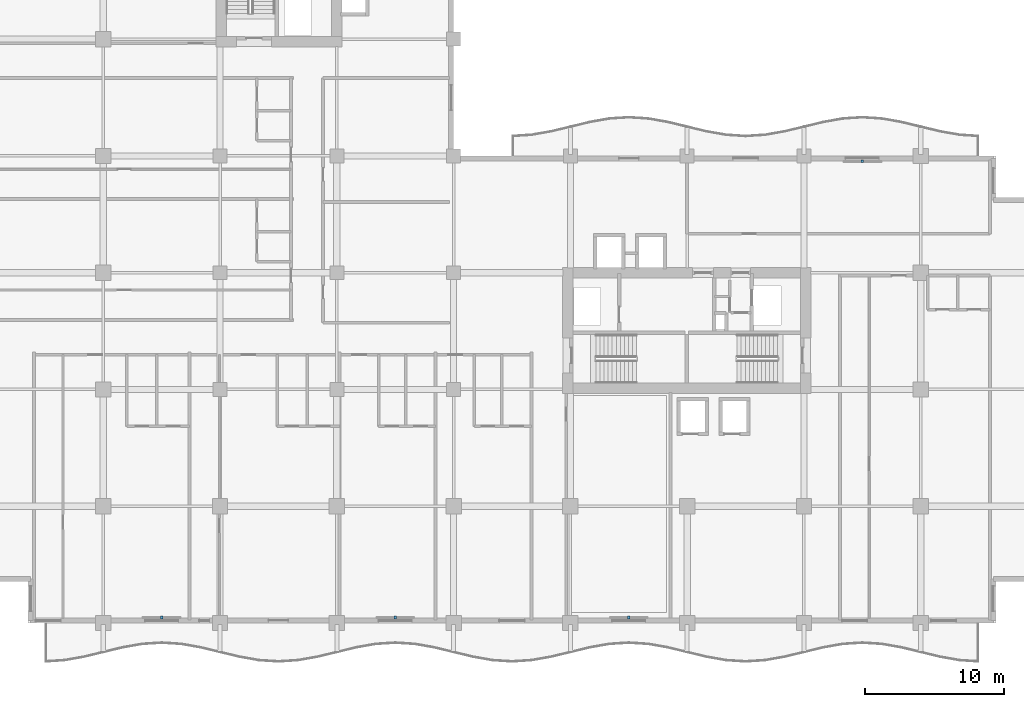
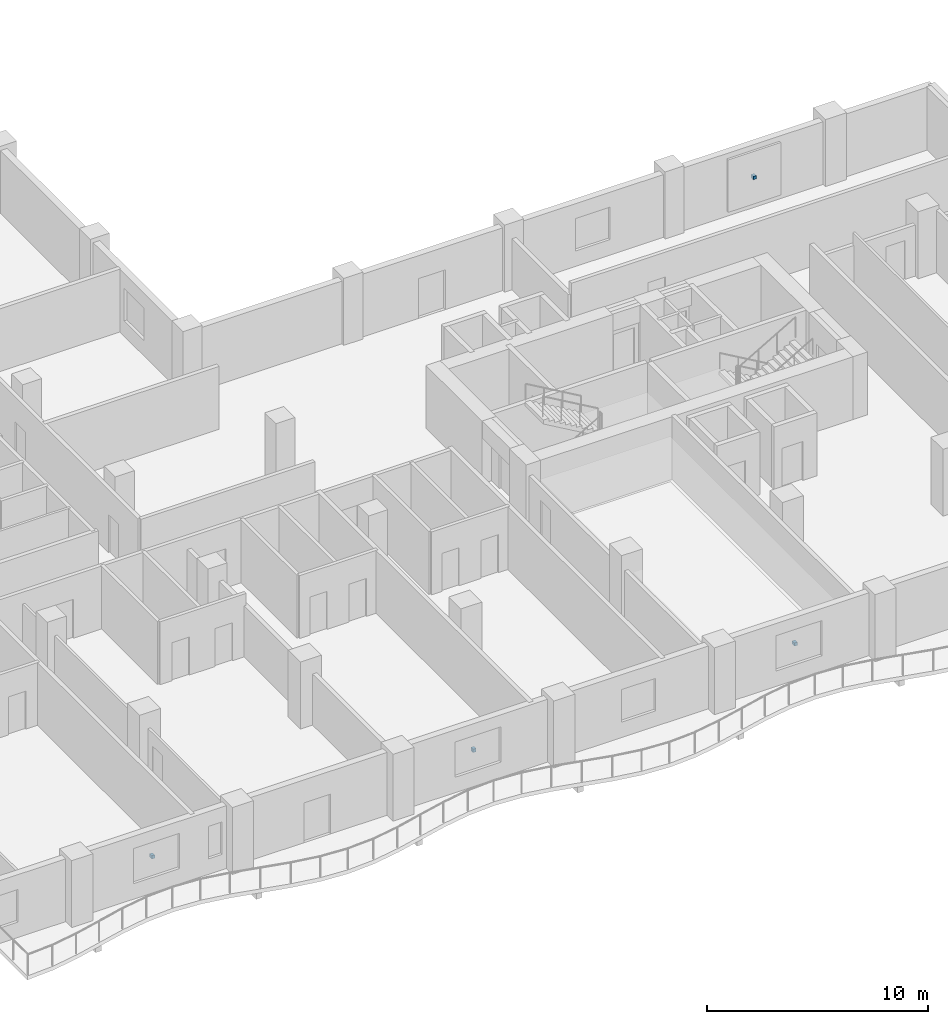
# One storey, part 17 of 22: 4 discrete accessories.
"""IFC4 building model written with IfcOpenShell, lengths in metres."""

from ifc_helpers import new_model, si_unit, direction, frame, origin, origin_2d, place, context, subcontext, project, spatial, rectangle, extrude, material, type_object, element, save


model = new_model("IFC4")

# Units and contexts
model_context = context("Model", 3, precision=1e-05, world=origin(), true_north=direction((0.0, 1.0)))
body_context = subcontext(model_context, "Body", "Model", "MODEL_VIEW")
ifc_project = project(units=[si_unit("LENGTHUNIT", "METRE"), si_unit("AREAUNIT", "SQUARE_METRE"), si_unit("VOLUMEUNIT", "CUBIC_METRE"), si_unit("PLANEANGLEUNIT", "RADIAN"), si_unit("MASSUNIT", "GRAM", prefix="KILO")], contexts=[model_context])

# Site, building, storey
site_placement = place(None, origin())
site = spatial("IfcSite", under=ifc_project, at=site_placement, CompositionType="ELEMENT")
building_placement = place(site_placement, origin())
building = spatial("IfcBuilding", under=site, at=building_placement, Name="Koriwani Terraces Tower", CompositionType="ELEMENT")
storey_placement = place(building_placement, frame((0.0, 0.0, 182.800048828125)))
storey = spatial("IfcBuildingStorey", under=building, at=storey_placement, Name="L44", CompositionType="ELEMENT", Elevation=182.800048828125)

# Discrete accessories
ifc_material = material(Name="Steel ASTM A572 Grade 50", Category="steel")
discrete_accessory_type = type_object("IfcDiscreteAccessoryType", Name="BAGUETTE_STANDOFF_BRACKET", PredefinedType="BRACKET", material=ifc_material)
for number, where, z_axis, x_axis, name in (
    (1, (63.0, 33.2099609375, 1.64501953125), (0.0, 0.0, 1.0), (1.0, 0.0, 0.0), "L44 Terracotta Baguette Bracket (NE-11)"),
    (2, (12.60009765625, 0.389892578125, 1.64501953125), (0.0, 0.0, 1.0), (-1.0, 0.0, 0.0), "L44 Terracotta Baguette Bracket (S-3)"),
    (3, (29.39990234375, 0.389892578125, 1.64501953125), (0.0, 0.0, 1.0), (-1.0, 0.0, 0.0), "L44 Terracotta Baguette Bracket (S-9)"),
    (4, (46.199951171875, 0.389892578125, 1.64501953125), (0.0, 0.0, 1.0), (-1.0, 0.0, 0.0), "L44 Terracotta Baguette Bracket (S-15)"),
):
    element("IfcDiscreteAccessory", number, at=place(storey_placement, frame(where, z_axis=z_axis, x_axis=x_axis)), inside=storey, type_object=discrete_accessory_type, Name=name, PredefinedType="BRACKET", context=body_context, shape_type="SweptSolid", body=[
        extrude(rectangle(XDim=0.159912109375, YDim=0.199951171875, at=origin_2d()), origin(), (0.0, 0.0, 1.0), 0.179931640625),
    ])

save(model, "model.ifc")
